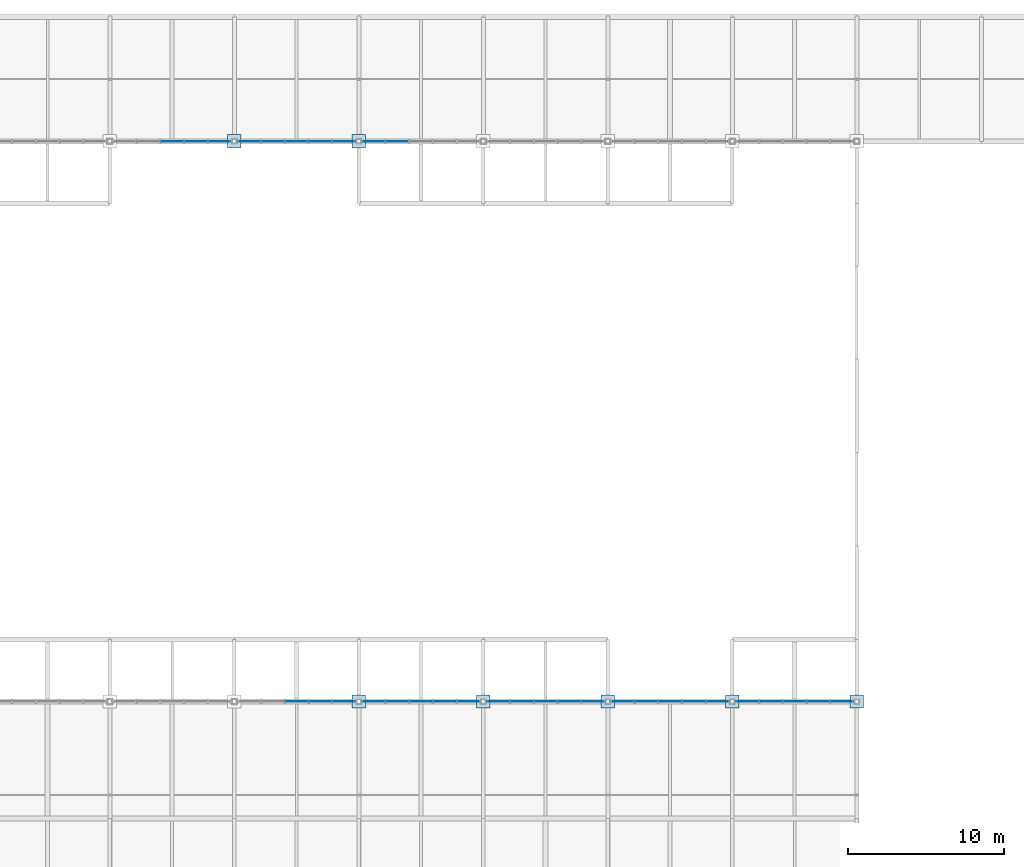
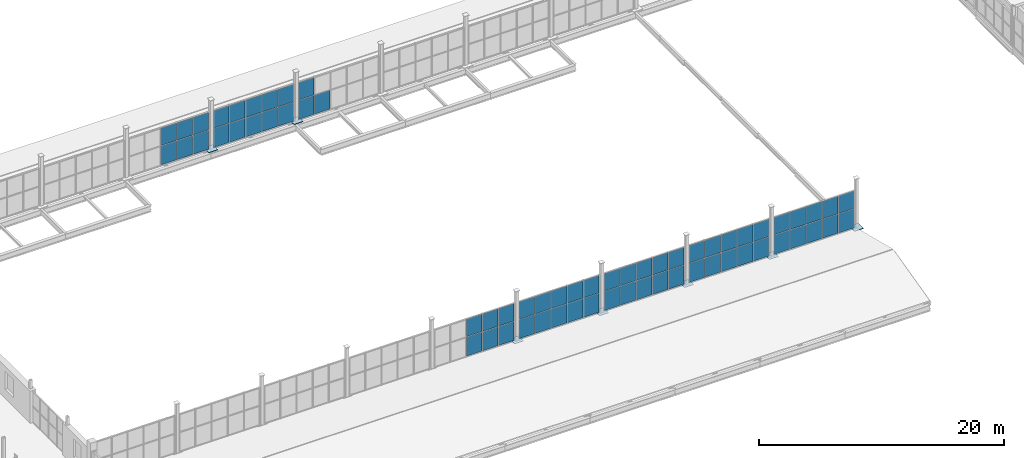
# One storey, part 76 of 96: 72 plates, 8 elements without a shape of their own.
"""IFC4 building model written with IfcOpenShell, lengths in metres."""

from ifc_helpers import new_model, si_unit, direction, frame, origin, origin_2d, place, context, subcontext, project, spatial, rectangle, extrude, material, layer, layer_set, type_object, element, aggregate, save


model = new_model("IFC4")

# Units and contexts
model_context = context("Model", 3, precision=1e-05, world=origin(), true_north=direction((0.0, 1.0)))
body_context = subcontext(model_context, "Body", "Model", "MODEL_VIEW")
ifc_project = project(units=[si_unit("LENGTHUNIT", "METRE"), si_unit("AREAUNIT", "SQUARE_METRE"), si_unit("VOLUMEUNIT", "CUBIC_METRE"), si_unit("PLANEANGLEUNIT", "RADIAN"), si_unit("MASSUNIT", "GRAM", prefix="KILO")], contexts=[model_context])

# Site, building, storey
site_placement = place(None, origin())
site = spatial("IfcSite", under=ifc_project, at=site_placement, CompositionType="ELEMENT")
building_placement = place(site_placement, origin())
building = spatial("IfcBuilding", under=site, at=building_placement, Name="Verrall Gate Interchange", CompositionType="ELEMENT")
storey_placement = place(building_placement, frame((0.0, 0.0, 11.39990234375)))
storey = spatial("IfcBuildingStorey", under=building, at=storey_placement, Name="L03", CompositionType="ELEMENT", Elevation=11.39990234375)

# Plates
ifc_material_1 = material(Name="Structural Steel CSA G40.21 350WT Cat 4", Category="steel")
ifc_layer_1 = layer(ifc_material_1, 0.050048828125)
ifc_layer_set_1 = layer_set([ifc_layer_1], Name="Structural Steel CSA G40.21 350WT Cat 4")
plate_type_1 = type_object("IfcPlateType", Name="BP-02 Base Plate 50", PredefinedType="USERDEFINED", material=ifc_layer_set_1)
for number, where, z_axis, x_axis, name in (
    (1, (68.0, 48.0, 0.0), (0.0, 0.0, 1.0), (1.0, 0.0, 0.0), "Concourse Column Base Plate 1518"),
    (2, (76.0, 12.0, 0.0), (0.0, 0.0, 1.0), (1.0, 0.0, 0.0), "Concourse Column Base Plate 1519"),
    (3, (76.0, 48.0, 0.0), (0.0, 0.0, 1.0), (1.0, 0.0, 0.0), "Concourse Column Base Plate 1520"),
    (4, (84.0, 12.0, 0.0), (0.0, 0.0, 1.0), (1.0, 0.0, 0.0), "Concourse Column Base Plate 1521"),
    (5, (92.0, 12.0, 0.0), (0.0, 0.0, 1.0), (1.0, 0.0, 0.0), "Concourse Column Base Plate 1523"),
    (6, (100.0, 12.0, 0.0), (0.0, 0.0, 1.0), (1.0, 0.0, 0.0), "Concourse Column Base Plate 1525"),
    (7, (108.0, 12.0, 0.0), (0.0, 0.0, 1.0), (1.0, 0.0, 0.0), "Concourse Column Base Plate 1527"),
):
    element("IfcPlate", number, at=place(storey_placement, frame(where, z_axis=z_axis, x_axis=x_axis)), inside=storey, type_object=plate_type_1, Name=name, ObjectType="BASE_PLATE", PredefinedType="USERDEFINED", context=body_context, shape_type="SweptSolid", body=[
        extrude(rectangle(XDim=0.85009765625, YDim=0.85009765625, at=origin_2d()), origin(), (0.0, 0.0, 1.0), 0.050048828125),
    ])

# Curtain wall, plates
ifc_material_2 = material(Name="Thermally Broken Anodized Aluminium Curtain Wall Framing", Category="aluminium")
curtain_wall_type = type_object("IfcCurtainWallType", Name="CW-53 Unitized Curtain Wall 7631x3800", PredefinedType="NOTDEFINED", material=ifc_material_2)
curtain_wall_1_placement = place(storey_placement, origin())
curtain_wall_1 = element("IfcCurtainWall", 8, at=curtain_wall_1_placement, inside=storey, type_object=curtain_wall_type, Name="L03 Unitized Curtain Wall CW-L03-CLR-168", PredefinedType="NOTDEFINED")
ifc_material_3 = material(Name="Triple-Glazed Low-E Argon Insulated Curtain Panel (U=1.45)", Category="glass")
ifc_layer_2 = layer(ifc_material_3, 0.030029296875)
ifc_layer_set_2 = layer_set([ifc_layer_2], Name="Triple-Glazed Low-E Argon Insulated Curtain Panel (U=1.45)")
plate_type_2 = type_object("IfcPlateType", Name="CP-01 Curtain Glazing Panel 30", PredefinedType="CURTAIN_PANEL", material=ifc_layer_set_2)
plate_1_placement = place(storey_placement, frame((72.0, 12.0, 0.06298828125), z_axis=(0.0, 0.0, 1.0), x_axis=(1.0, 0.0, 0.0)))
plate_1 = element("IfcPlate", 9, at=plate_1_placement, type_object=plate_type_2, Name="CW-L03-CLR-168 Glazing Panel 3.1", PredefinedType="CURTAIN_PANEL", context=body_context, shape_type="SweptSolid", body=[
    extrude(rectangle(XDim=1.47509765625, YDim=0.030029296875, at=origin_2d()), origin(), (0.0, 0.0, 1.0), 1.887451171875),
])
plate_2_placement = place(storey_placement, frame((72.0, 12.0, 2.00146484375), z_axis=(0.0, 0.0, 1.0), x_axis=(1.0, 0.0, 0.0)))
plate_2 = element("IfcPlate", 10, at=plate_2_placement, type_object=plate_type_2, Name="CW-L03-CLR-168 Glazing Panel 3.2", PredefinedType="CURTAIN_PANEL", context=body_context, shape_type="SweptSolid", body=[
    extrude(rectangle(XDim=1.47509765625, YDim=0.030029296875, at=origin_2d()), origin(), (0.0, 0.0, 1.0), 1.735595703125),
])
plate_3_placement = place(storey_placement, frame((73.526123046875, 12.0, 0.06298828125), z_axis=(0.0, 0.0, 1.0), x_axis=(1.0, 0.0, 0.0)))
plate_3 = element("IfcPlate", 11, at=plate_3_placement, type_object=plate_type_2, Name="CW-L03-CLR-168 Glazing Panel 4.1", PredefinedType="CURTAIN_PANEL", context=body_context, shape_type="SweptSolid", body=[
    extrude(rectangle(XDim=1.47509765625, YDim=0.030029296875, at=origin_2d()), origin(), (0.0, 0.0, 1.0), 1.887451171875),
])
plate_4_placement = place(storey_placement, frame((73.526123046875, 12.0, 2.00146484375), z_axis=(0.0, 0.0, 1.0), x_axis=(1.0, 0.0, 0.0)))
plate_4 = element("IfcPlate", 12, at=plate_4_placement, type_object=plate_type_2, Name="CW-L03-CLR-168 Glazing Panel 4.2", PredefinedType="CURTAIN_PANEL", context=body_context, shape_type="SweptSolid", body=[
    extrude(rectangle(XDim=1.47509765625, YDim=0.030029296875, at=origin_2d()), origin(), (0.0, 0.0, 1.0), 1.735595703125),
])
plate_5_placement = place(storey_placement, frame((75.03369140625, 12.0, 0.06298828125), z_axis=(0.0, 0.0, 1.0), x_axis=(1.0, 0.0, 0.0)))
plate_5 = element("IfcPlate", 13, at=plate_5_placement, type_object=plate_type_2, Name="CW-L03-CLR-168 Glazing Panel 5.1", PredefinedType="CURTAIN_PANEL", context=body_context, shape_type="SweptSolid", body=[
    extrude(rectangle(XDim=1.437744140625, YDim=0.030029296875, at=origin_2d()), origin(), (0.0, 0.0, 1.0), 1.887451171875),
])
plate_6_placement = place(storey_placement, frame((75.03369140625, 12.0, 2.00146484375), z_axis=(0.0, 0.0, 1.0), x_axis=(1.0, 0.0, 0.0)))
plate_6 = element("IfcPlate", 14, at=plate_6_placement, type_object=plate_type_2, Name="CW-L03-CLR-168 Glazing Panel 5.2", PredefinedType="CURTAIN_PANEL", context=body_context, shape_type="SweptSolid", body=[
    extrude(rectangle(XDim=1.437744140625, YDim=0.030029296875, at=origin_2d()), origin(), (0.0, 0.0, 1.0), 1.735595703125),
])
aggregate(curtain_wall_1, [plate_1, plate_2, plate_3, plate_4, plate_5, plate_6])

curtain_wall_2_placement = place(storey_placement, origin())
curtain_wall_2 = element("IfcCurtainWall", 15, at=curtain_wall_2_placement, inside=storey, type_object=curtain_wall_type, Name="L03 Unitized Curtain Wall CW-L03-CLR-169", PredefinedType="NOTDEFINED")
plate_7_placement = place(storey_placement, frame((76.96630859375, 12.0, 0.06298828125), z_axis=(0.0, 0.0, 1.0), x_axis=(1.0, 0.0, 0.0)))
plate_7 = element("IfcPlate", 16, at=plate_7_placement, type_object=plate_type_2, Name="CW-L03-CLR-169 Glazing Panel 1.1", PredefinedType="CURTAIN_PANEL", context=body_context, shape_type="SweptSolid", body=[
    extrude(rectangle(XDim=1.437744140625, YDim=0.030029296875, at=origin_2d()), origin(), (0.0, 0.0, 1.0), 1.887451171875),
])
plate_8_placement = place(storey_placement, frame((76.96630859375, 12.0, 2.00146484375), z_axis=(0.0, 0.0, 1.0), x_axis=(1.0, 0.0, 0.0)))
plate_8 = element("IfcPlate", 17, at=plate_8_placement, type_object=plate_type_2, Name="CW-L03-CLR-169 Glazing Panel 1.2", PredefinedType="CURTAIN_PANEL", context=body_context, shape_type="SweptSolid", body=[
    extrude(rectangle(XDim=1.437744140625, YDim=0.030029296875, at=origin_2d()), origin(), (0.0, 0.0, 1.0), 1.735595703125),
])
plate_9_placement = place(storey_placement, frame((78.473876953125, 12.0, 0.06298828125), z_axis=(0.0, 0.0, 1.0), x_axis=(1.0, 0.0, 0.0)))
plate_9 = element("IfcPlate", 18, at=plate_9_placement, type_object=plate_type_2, Name="CW-L03-CLR-169 Glazing Panel 2.1", PredefinedType="CURTAIN_PANEL", context=body_context, shape_type="SweptSolid", body=[
    extrude(rectangle(XDim=1.47509765625, YDim=0.030029296875, at=origin_2d()), origin(), (0.0, 0.0, 1.0), 1.887451171875),
])
plate_10_placement = place(storey_placement, frame((78.473876953125, 12.0, 2.00146484375), z_axis=(0.0, 0.0, 1.0), x_axis=(1.0, 0.0, 0.0)))
plate_10 = element("IfcPlate", 19, at=plate_10_placement, type_object=plate_type_2, Name="CW-L03-CLR-169 Glazing Panel 2.2", PredefinedType="CURTAIN_PANEL", context=body_context, shape_type="SweptSolid", body=[
    extrude(rectangle(XDim=1.47509765625, YDim=0.030029296875, at=origin_2d()), origin(), (0.0, 0.0, 1.0), 1.735595703125),
])
plate_11_placement = place(storey_placement, frame((80.0, 12.0, 0.06298828125), z_axis=(0.0, 0.0, 1.0), x_axis=(1.0, 0.0, 0.0)))
plate_11 = element("IfcPlate", 20, at=plate_11_placement, type_object=plate_type_2, Name="CW-L03-CLR-169 Glazing Panel 3.1", PredefinedType="CURTAIN_PANEL", context=body_context, shape_type="SweptSolid", body=[
    extrude(rectangle(XDim=1.47509765625, YDim=0.030029296875, at=origin_2d()), origin(), (0.0, 0.0, 1.0), 1.887451171875),
])
plate_12_placement = place(storey_placement, frame((80.0, 12.0, 2.00146484375), z_axis=(0.0, 0.0, 1.0), x_axis=(1.0, 0.0, 0.0)))
plate_12 = element("IfcPlate", 21, at=plate_12_placement, type_object=plate_type_2, Name="CW-L03-CLR-169 Glazing Panel 3.2", PredefinedType="CURTAIN_PANEL", context=body_context, shape_type="SweptSolid", body=[
    extrude(rectangle(XDim=1.47509765625, YDim=0.030029296875, at=origin_2d()), origin(), (0.0, 0.0, 1.0), 1.735595703125),
])
plate_13_placement = place(storey_placement, frame((81.526123046875, 12.0, 0.06298828125), z_axis=(0.0, 0.0, 1.0), x_axis=(1.0, 0.0, 0.0)))
plate_13 = element("IfcPlate", 22, at=plate_13_placement, type_object=plate_type_2, Name="CW-L03-CLR-169 Glazing Panel 4.1", PredefinedType="CURTAIN_PANEL", context=body_context, shape_type="SweptSolid", body=[
    extrude(rectangle(XDim=1.47509765625, YDim=0.030029296875, at=origin_2d()), origin(), (0.0, 0.0, 1.0), 1.887451171875),
])
plate_14_placement = place(storey_placement, frame((81.526123046875, 12.0, 2.00146484375), z_axis=(0.0, 0.0, 1.0), x_axis=(1.0, 0.0, 0.0)))
plate_14 = element("IfcPlate", 23, at=plate_14_placement, type_object=plate_type_2, Name="CW-L03-CLR-169 Glazing Panel 4.2", PredefinedType="CURTAIN_PANEL", context=body_context, shape_type="SweptSolid", body=[
    extrude(rectangle(XDim=1.47509765625, YDim=0.030029296875, at=origin_2d()), origin(), (0.0, 0.0, 1.0), 1.735595703125),
])
plate_15_placement = place(storey_placement, frame((83.03369140625, 12.0, 0.06298828125), z_axis=(0.0, 0.0, 1.0), x_axis=(1.0, 0.0, 0.0)))
plate_15 = element("IfcPlate", 24, at=plate_15_placement, type_object=plate_type_2, Name="CW-L03-CLR-169 Glazing Panel 5.1", PredefinedType="CURTAIN_PANEL", context=body_context, shape_type="SweptSolid", body=[
    extrude(rectangle(XDim=1.437744140625, YDim=0.030029296875, at=origin_2d()), origin(), (0.0, 0.0, 1.0), 1.887451171875),
])
plate_16_placement = place(storey_placement, frame((83.03369140625, 12.0, 2.00146484375), z_axis=(0.0, 0.0, 1.0), x_axis=(1.0, 0.0, 0.0)))
plate_16 = element("IfcPlate", 25, at=plate_16_placement, type_object=plate_type_2, Name="CW-L03-CLR-169 Glazing Panel 5.2", PredefinedType="CURTAIN_PANEL", context=body_context, shape_type="SweptSolid", body=[
    extrude(rectangle(XDim=1.437744140625, YDim=0.030029296875, at=origin_2d()), origin(), (0.0, 0.0, 1.0), 1.735595703125),
])
aggregate(curtain_wall_2, [plate_7, plate_8, plate_9, plate_10, plate_11, plate_12, plate_13, plate_14, plate_15, plate_16])

curtain_wall_3_placement = place(storey_placement, origin())
curtain_wall_3 = element("IfcCurtainWall", 26, at=curtain_wall_3_placement, inside=storey, type_object=curtain_wall_type, Name="L03 Unitized Curtain Wall CW-L03-CLR-170", PredefinedType="NOTDEFINED")
plate_17_placement = place(storey_placement, frame((84.96630859375, 12.0, 0.06298828125), z_axis=(0.0, 0.0, 1.0), x_axis=(1.0, 0.0, 0.0)))
plate_17 = element("IfcPlate", 27, at=plate_17_placement, type_object=plate_type_2, Name="CW-L03-CLR-170 Glazing Panel 1.1", PredefinedType="CURTAIN_PANEL", context=body_context, shape_type="SweptSolid", body=[
    extrude(rectangle(XDim=1.437744140625, YDim=0.030029296875, at=origin_2d()), origin(), (0.0, 0.0, 1.0), 1.887451171875),
])
plate_18_placement = place(storey_placement, frame((84.96630859375, 12.0, 2.00146484375), z_axis=(0.0, 0.0, 1.0), x_axis=(1.0, 0.0, 0.0)))
plate_18 = element("IfcPlate", 28, at=plate_18_placement, type_object=plate_type_2, Name="CW-L03-CLR-170 Glazing Panel 1.2", PredefinedType="CURTAIN_PANEL", context=body_context, shape_type="SweptSolid", body=[
    extrude(rectangle(XDim=1.437744140625, YDim=0.030029296875, at=origin_2d()), origin(), (0.0, 0.0, 1.0), 1.735595703125),
])
plate_19_placement = place(storey_placement, frame((86.473876953125, 12.0, 0.06298828125), z_axis=(0.0, 0.0, 1.0), x_axis=(1.0, 0.0, 0.0)))
plate_19 = element("IfcPlate", 29, at=plate_19_placement, type_object=plate_type_2, Name="CW-L03-CLR-170 Glazing Panel 2.1", PredefinedType="CURTAIN_PANEL", context=body_context, shape_type="SweptSolid", body=[
    extrude(rectangle(XDim=1.47509765625, YDim=0.030029296875, at=origin_2d()), origin(), (0.0, 0.0, 1.0), 1.887451171875),
])
plate_20_placement = place(storey_placement, frame((86.473876953125, 12.0, 2.00146484375), z_axis=(0.0, 0.0, 1.0), x_axis=(1.0, 0.0, 0.0)))
plate_20 = element("IfcPlate", 30, at=plate_20_placement, type_object=plate_type_2, Name="CW-L03-CLR-170 Glazing Panel 2.2", PredefinedType="CURTAIN_PANEL", context=body_context, shape_type="SweptSolid", body=[
    extrude(rectangle(XDim=1.47509765625, YDim=0.030029296875, at=origin_2d()), origin(), (0.0, 0.0, 1.0), 1.735595703125),
])
plate_21_placement = place(storey_placement, frame((88.0, 12.0, 0.06298828125), z_axis=(0.0, 0.0, 1.0), x_axis=(1.0, 0.0, 0.0)))
plate_21 = element("IfcPlate", 31, at=plate_21_placement, type_object=plate_type_2, Name="CW-L03-CLR-170 Glazing Panel 3.1", PredefinedType="CURTAIN_PANEL", context=body_context, shape_type="SweptSolid", body=[
    extrude(rectangle(XDim=1.47509765625, YDim=0.030029296875, at=origin_2d()), origin(), (0.0, 0.0, 1.0), 1.887451171875),
])
plate_22_placement = place(storey_placement, frame((88.0, 12.0, 2.00146484375), z_axis=(0.0, 0.0, 1.0), x_axis=(1.0, 0.0, 0.0)))
plate_22 = element("IfcPlate", 32, at=plate_22_placement, type_object=plate_type_2, Name="CW-L03-CLR-170 Glazing Panel 3.2", PredefinedType="CURTAIN_PANEL", context=body_context, shape_type="SweptSolid", body=[
    extrude(rectangle(XDim=1.47509765625, YDim=0.030029296875, at=origin_2d()), origin(), (0.0, 0.0, 1.0), 1.735595703125),
])
plate_23_placement = place(storey_placement, frame((89.526123046875, 12.0, 0.06298828125), z_axis=(0.0, 0.0, 1.0), x_axis=(1.0, 0.0, 0.0)))
plate_23 = element("IfcPlate", 33, at=plate_23_placement, type_object=plate_type_2, Name="CW-L03-CLR-170 Glazing Panel 4.1", PredefinedType="CURTAIN_PANEL", context=body_context, shape_type="SweptSolid", body=[
    extrude(rectangle(XDim=1.47509765625, YDim=0.030029296875, at=origin_2d()), origin(), (0.0, 0.0, 1.0), 1.887451171875),
])
plate_24_placement = place(storey_placement, frame((89.526123046875, 12.0, 2.00146484375), z_axis=(0.0, 0.0, 1.0), x_axis=(1.0, 0.0, 0.0)))
plate_24 = element("IfcPlate", 34, at=plate_24_placement, type_object=plate_type_2, Name="CW-L03-CLR-170 Glazing Panel 4.2", PredefinedType="CURTAIN_PANEL", context=body_context, shape_type="SweptSolid", body=[
    extrude(rectangle(XDim=1.47509765625, YDim=0.030029296875, at=origin_2d()), origin(), (0.0, 0.0, 1.0), 1.735595703125),
])
plate_25_placement = place(storey_placement, frame((91.03369140625, 12.0, 0.06298828125), z_axis=(0.0, 0.0, 1.0), x_axis=(1.0, 0.0, 0.0)))
plate_25 = element("IfcPlate", 35, at=plate_25_placement, type_object=plate_type_2, Name="CW-L03-CLR-170 Glazing Panel 5.1", PredefinedType="CURTAIN_PANEL", context=body_context, shape_type="SweptSolid", body=[
    extrude(rectangle(XDim=1.437744140625, YDim=0.030029296875, at=origin_2d()), origin(), (0.0, 0.0, 1.0), 1.887451171875),
])
plate_26_placement = place(storey_placement, frame((91.03369140625, 12.0, 2.00146484375), z_axis=(0.0, 0.0, 1.0), x_axis=(1.0, 0.0, 0.0)))
plate_26 = element("IfcPlate", 36, at=plate_26_placement, type_object=plate_type_2, Name="CW-L03-CLR-170 Glazing Panel 5.2", PredefinedType="CURTAIN_PANEL", context=body_context, shape_type="SweptSolid", body=[
    extrude(rectangle(XDim=1.437744140625, YDim=0.030029296875, at=origin_2d()), origin(), (0.0, 0.0, 1.0), 1.735595703125),
])
aggregate(curtain_wall_3, [plate_17, plate_18, plate_19, plate_20, plate_21, plate_22, plate_23, plate_24, plate_25, plate_26])

curtain_wall_4_placement = place(storey_placement, origin())
curtain_wall_4 = element("IfcCurtainWall", 37, at=curtain_wall_4_placement, inside=storey, type_object=curtain_wall_type, Name="L03 Unitized Curtain Wall CW-L03-CLR-171", PredefinedType="NOTDEFINED")
plate_27_placement = place(storey_placement, frame((92.96630859375, 12.0, 0.06298828125), z_axis=(0.0, 0.0, 1.0), x_axis=(1.0, 0.0, 0.0)))
plate_27 = element("IfcPlate", 38, at=plate_27_placement, type_object=plate_type_2, Name="CW-L03-CLR-171 Glazing Panel 1.1", PredefinedType="CURTAIN_PANEL", context=body_context, shape_type="SweptSolid", body=[
    extrude(rectangle(XDim=1.437744140625, YDim=0.030029296875, at=origin_2d()), origin(), (0.0, 0.0, 1.0), 1.887451171875),
])
plate_28_placement = place(storey_placement, frame((92.96630859375, 12.0, 2.00146484375), z_axis=(0.0, 0.0, 1.0), x_axis=(1.0, 0.0, 0.0)))
plate_28 = element("IfcPlate", 39, at=plate_28_placement, type_object=plate_type_2, Name="CW-L03-CLR-171 Glazing Panel 1.2", PredefinedType="CURTAIN_PANEL", context=body_context, shape_type="SweptSolid", body=[
    extrude(rectangle(XDim=1.437744140625, YDim=0.030029296875, at=origin_2d()), origin(), (0.0, 0.0, 1.0), 1.735595703125),
])
plate_29_placement = place(storey_placement, frame((94.473876953125, 12.0, 0.06298828125), z_axis=(0.0, 0.0, 1.0), x_axis=(1.0, 0.0, 0.0)))
plate_29 = element("IfcPlate", 40, at=plate_29_placement, type_object=plate_type_2, Name="CW-L03-CLR-171 Glazing Panel 2.1", PredefinedType="CURTAIN_PANEL", context=body_context, shape_type="SweptSolid", body=[
    extrude(rectangle(XDim=1.47509765625, YDim=0.030029296875, at=origin_2d()), origin(), (0.0, 0.0, 1.0), 1.887451171875),
])
plate_30_placement = place(storey_placement, frame((94.473876953125, 12.0, 2.00146484375), z_axis=(0.0, 0.0, 1.0), x_axis=(1.0, 0.0, 0.0)))
plate_30 = element("IfcPlate", 41, at=plate_30_placement, type_object=plate_type_2, Name="CW-L03-CLR-171 Glazing Panel 2.2", PredefinedType="CURTAIN_PANEL", context=body_context, shape_type="SweptSolid", body=[
    extrude(rectangle(XDim=1.47509765625, YDim=0.030029296875, at=origin_2d()), origin(), (0.0, 0.0, 1.0), 1.735595703125),
])
plate_31_placement = place(storey_placement, frame((96.0, 12.0, 0.06298828125), z_axis=(0.0, 0.0, 1.0), x_axis=(1.0, 0.0, 0.0)))
plate_31 = element("IfcPlate", 42, at=plate_31_placement, type_object=plate_type_2, Name="CW-L03-CLR-171 Glazing Panel 3.1", PredefinedType="CURTAIN_PANEL", context=body_context, shape_type="SweptSolid", body=[
    extrude(rectangle(XDim=1.47509765625, YDim=0.030029296875, at=origin_2d()), origin(), (0.0, 0.0, 1.0), 1.887451171875),
])
plate_32_placement = place(storey_placement, frame((96.0, 12.0, 2.00146484375), z_axis=(0.0, 0.0, 1.0), x_axis=(1.0, 0.0, 0.0)))
plate_32 = element("IfcPlate", 43, at=plate_32_placement, type_object=plate_type_2, Name="CW-L03-CLR-171 Glazing Panel 3.2", PredefinedType="CURTAIN_PANEL", context=body_context, shape_type="SweptSolid", body=[
    extrude(rectangle(XDim=1.47509765625, YDim=0.030029296875, at=origin_2d()), origin(), (0.0, 0.0, 1.0), 1.735595703125),
])
plate_33_placement = place(storey_placement, frame((97.526123046875, 12.0, 0.06298828125), z_axis=(0.0, 0.0, 1.0), x_axis=(1.0, 0.0, 0.0)))
plate_33 = element("IfcPlate", 44, at=plate_33_placement, type_object=plate_type_2, Name="CW-L03-CLR-171 Glazing Panel 4.1", PredefinedType="CURTAIN_PANEL", context=body_context, shape_type="SweptSolid", body=[
    extrude(rectangle(XDim=1.47509765625, YDim=0.030029296875, at=origin_2d()), origin(), (0.0, 0.0, 1.0), 1.887451171875),
])
plate_34_placement = place(storey_placement, frame((97.526123046875, 12.0, 2.00146484375), z_axis=(0.0, 0.0, 1.0), x_axis=(1.0, 0.0, 0.0)))
plate_34 = element("IfcPlate", 45, at=plate_34_placement, type_object=plate_type_2, Name="CW-L03-CLR-171 Glazing Panel 4.2", PredefinedType="CURTAIN_PANEL", context=body_context, shape_type="SweptSolid", body=[
    extrude(rectangle(XDim=1.47509765625, YDim=0.030029296875, at=origin_2d()), origin(), (0.0, 0.0, 1.0), 1.735595703125),
])
plate_35_placement = place(storey_placement, frame((99.03369140625, 12.0, 0.06298828125), z_axis=(0.0, 0.0, 1.0), x_axis=(1.0, 0.0, 0.0)))
plate_35 = element("IfcPlate", 46, at=plate_35_placement, type_object=plate_type_2, Name="CW-L03-CLR-171 Glazing Panel 5.1", PredefinedType="CURTAIN_PANEL", context=body_context, shape_type="SweptSolid", body=[
    extrude(rectangle(XDim=1.437744140625, YDim=0.030029296875, at=origin_2d()), origin(), (0.0, 0.0, 1.0), 1.887451171875),
])
plate_36_placement = place(storey_placement, frame((99.03369140625, 12.0, 2.00146484375), z_axis=(0.0, 0.0, 1.0), x_axis=(1.0, 0.0, 0.0)))
plate_36 = element("IfcPlate", 47, at=plate_36_placement, type_object=plate_type_2, Name="CW-L03-CLR-171 Glazing Panel 5.2", PredefinedType="CURTAIN_PANEL", context=body_context, shape_type="SweptSolid", body=[
    extrude(rectangle(XDim=1.437744140625, YDim=0.030029296875, at=origin_2d()), origin(), (0.0, 0.0, 1.0), 1.735595703125),
])
aggregate(curtain_wall_4, [plate_27, plate_28, plate_29, plate_30, plate_31, plate_32, plate_33, plate_34, plate_35, plate_36])

curtain_wall_5_placement = place(storey_placement, origin())
curtain_wall_5 = element("IfcCurtainWall", 48, at=curtain_wall_5_placement, inside=storey, type_object=curtain_wall_type, Name="L03 Unitized Curtain Wall CW-L03-CLR-172", PredefinedType="NOTDEFINED")
plate_37_placement = place(storey_placement, frame((100.96630859375, 12.0, 0.06298828125), z_axis=(0.0, 0.0, 1.0), x_axis=(1.0, 0.0, 0.0)))
plate_37 = element("IfcPlate", 49, at=plate_37_placement, type_object=plate_type_2, Name="CW-L03-CLR-172 Glazing Panel 1.1", PredefinedType="CURTAIN_PANEL", context=body_context, shape_type="SweptSolid", body=[
    extrude(rectangle(XDim=1.437744140625, YDim=0.030029296875, at=origin_2d()), origin(), (0.0, 0.0, 1.0), 1.887451171875),
])
plate_38_placement = place(storey_placement, frame((100.96630859375, 12.0, 2.00146484375), z_axis=(0.0, 0.0, 1.0), x_axis=(1.0, 0.0, 0.0)))
plate_38 = element("IfcPlate", 50, at=plate_38_placement, type_object=plate_type_2, Name="CW-L03-CLR-172 Glazing Panel 1.2", PredefinedType="CURTAIN_PANEL", context=body_context, shape_type="SweptSolid", body=[
    extrude(rectangle(XDim=1.437744140625, YDim=0.030029296875, at=origin_2d()), origin(), (0.0, 0.0, 1.0), 1.735595703125),
])
plate_39_placement = place(storey_placement, frame((102.473876953125, 12.0, 0.06298828125), z_axis=(0.0, 0.0, 1.0), x_axis=(1.0, 0.0, 0.0)))
plate_39 = element("IfcPlate", 51, at=plate_39_placement, type_object=plate_type_2, Name="CW-L03-CLR-172 Glazing Panel 2.1", PredefinedType="CURTAIN_PANEL", context=body_context, shape_type="SweptSolid", body=[
    extrude(rectangle(XDim=1.47509765625, YDim=0.030029296875, at=origin_2d()), origin(), (0.0, 0.0, 1.0), 1.887451171875),
])
plate_40_placement = place(storey_placement, frame((102.473876953125, 12.0, 2.00146484375), z_axis=(0.0, 0.0, 1.0), x_axis=(1.0, 0.0, 0.0)))
plate_40 = element("IfcPlate", 52, at=plate_40_placement, type_object=plate_type_2, Name="CW-L03-CLR-172 Glazing Panel 2.2", PredefinedType="CURTAIN_PANEL", context=body_context, shape_type="SweptSolid", body=[
    extrude(rectangle(XDim=1.47509765625, YDim=0.030029296875, at=origin_2d()), origin(), (0.0, 0.0, 1.0), 1.735595703125),
])
plate_41_placement = place(storey_placement, frame((104.0, 12.0, 0.06298828125), z_axis=(0.0, 0.0, 1.0), x_axis=(1.0, 0.0, 0.0)))
plate_41 = element("IfcPlate", 53, at=plate_41_placement, type_object=plate_type_2, Name="CW-L03-CLR-172 Glazing Panel 3.1", PredefinedType="CURTAIN_PANEL", context=body_context, shape_type="SweptSolid", body=[
    extrude(rectangle(XDim=1.47509765625, YDim=0.030029296875, at=origin_2d()), origin(), (0.0, 0.0, 1.0), 1.887451171875),
])
plate_42_placement = place(storey_placement, frame((104.0, 12.0, 2.00146484375), z_axis=(0.0, 0.0, 1.0), x_axis=(1.0, 0.0, 0.0)))
plate_42 = element("IfcPlate", 54, at=plate_42_placement, type_object=plate_type_2, Name="CW-L03-CLR-172 Glazing Panel 3.2", PredefinedType="CURTAIN_PANEL", context=body_context, shape_type="SweptSolid", body=[
    extrude(rectangle(XDim=1.47509765625, YDim=0.030029296875, at=origin_2d()), origin(), (0.0, 0.0, 1.0), 1.735595703125),
])
plate_43_placement = place(storey_placement, frame((105.526123046875, 12.0, 0.06298828125), z_axis=(0.0, 0.0, 1.0), x_axis=(1.0, 0.0, 0.0)))
plate_43 = element("IfcPlate", 55, at=plate_43_placement, type_object=plate_type_2, Name="CW-L03-CLR-172 Glazing Panel 4.1", PredefinedType="CURTAIN_PANEL", context=body_context, shape_type="SweptSolid", body=[
    extrude(rectangle(XDim=1.47509765625, YDim=0.030029296875, at=origin_2d()), origin(), (0.0, 0.0, 1.0), 1.887451171875),
])
plate_44_placement = place(storey_placement, frame((105.526123046875, 12.0, 2.00146484375), z_axis=(0.0, 0.0, 1.0), x_axis=(1.0, 0.0, 0.0)))
plate_44 = element("IfcPlate", 56, at=plate_44_placement, type_object=plate_type_2, Name="CW-L03-CLR-172 Glazing Panel 4.2", PredefinedType="CURTAIN_PANEL", context=body_context, shape_type="SweptSolid", body=[
    extrude(rectangle(XDim=1.47509765625, YDim=0.030029296875, at=origin_2d()), origin(), (0.0, 0.0, 1.0), 1.735595703125),
])
plate_45_placement = place(storey_placement, frame((107.03369140625, 12.0, 0.06298828125), z_axis=(0.0, 0.0, 1.0), x_axis=(1.0, 0.0, 0.0)))
plate_45 = element("IfcPlate", 57, at=plate_45_placement, type_object=plate_type_2, Name="CW-L03-CLR-172 Glazing Panel 5.1", PredefinedType="CURTAIN_PANEL", context=body_context, shape_type="SweptSolid", body=[
    extrude(rectangle(XDim=1.437744140625, YDim=0.030029296875, at=origin_2d()), origin(), (0.0, 0.0, 1.0), 1.887451171875),
])
plate_46_placement = place(storey_placement, frame((107.03369140625, 12.0, 2.00146484375), z_axis=(0.0, 0.0, 1.0), x_axis=(1.0, 0.0, 0.0)))
plate_46 = element("IfcPlate", 58, at=plate_46_placement, type_object=plate_type_2, Name="CW-L03-CLR-172 Glazing Panel 5.2", PredefinedType="CURTAIN_PANEL", context=body_context, shape_type="SweptSolid", body=[
    extrude(rectangle(XDim=1.437744140625, YDim=0.030029296875, at=origin_2d()), origin(), (0.0, 0.0, 1.0), 1.735595703125),
])
aggregate(curtain_wall_5, [plate_37, plate_38, plate_39, plate_40, plate_41, plate_42, plate_43, plate_44, plate_45, plate_46])

curtain_wall_6_placement = place(storey_placement, origin())
curtain_wall_6 = element("IfcCurtainWall", 59, at=curtain_wall_6_placement, inside=storey, type_object=curtain_wall_type, Name="L03 Unitized Curtain Wall CW-L03-CLR-176", PredefinedType="NOTDEFINED")
plate_47_placement = place(storey_placement, frame((64.0, 48.0, 0.06298828125), z_axis=(0.0, 0.0, 1.0), x_axis=(1.0, 0.0, 0.0)))
plate_47 = element("IfcPlate", 60, at=plate_47_placement, type_object=plate_type_2, Name="CW-L03-CLR-176 Glazing Panel 3.1", PredefinedType="CURTAIN_PANEL", context=body_context, shape_type="SweptSolid", body=[
    extrude(rectangle(XDim=1.47509765625, YDim=0.030029296875, at=origin_2d()), origin(), (0.0, 0.0, 1.0), 1.887451171875),
])
plate_48_placement = place(storey_placement, frame((64.0, 48.0, 2.00146484375), z_axis=(0.0, 0.0, 1.0), x_axis=(1.0, 0.0, 0.0)))
plate_48 = element("IfcPlate", 61, at=plate_48_placement, type_object=plate_type_2, Name="CW-L03-CLR-176 Glazing Panel 3.2", PredefinedType="CURTAIN_PANEL", context=body_context, shape_type="SweptSolid", body=[
    extrude(rectangle(XDim=1.47509765625, YDim=0.030029296875, at=origin_2d()), origin(), (0.0, 0.0, 1.0), 1.735595703125),
])
plate_49_placement = place(storey_placement, frame((65.526123046875, 48.0, 0.06298828125), z_axis=(0.0, 0.0, 1.0), x_axis=(1.0, 0.0, 0.0)))
plate_49 = element("IfcPlate", 62, at=plate_49_placement, type_object=plate_type_2, Name="CW-L03-CLR-176 Glazing Panel 4.1", PredefinedType="CURTAIN_PANEL", context=body_context, shape_type="SweptSolid", body=[
    extrude(rectangle(XDim=1.47509765625, YDim=0.030029296875, at=origin_2d()), origin(), (0.0, 0.0, 1.0), 1.887451171875),
])
plate_50_placement = place(storey_placement, frame((65.526123046875, 48.0, 2.00146484375), z_axis=(0.0, 0.0, 1.0), x_axis=(1.0, 0.0, 0.0)))
plate_50 = element("IfcPlate", 63, at=plate_50_placement, type_object=plate_type_2, Name="CW-L03-CLR-176 Glazing Panel 4.2", PredefinedType="CURTAIN_PANEL", context=body_context, shape_type="SweptSolid", body=[
    extrude(rectangle(XDim=1.47509765625, YDim=0.030029296875, at=origin_2d()), origin(), (0.0, 0.0, 1.0), 1.735595703125),
])
plate_51_placement = place(storey_placement, frame((67.03369140625, 48.0, 0.06298828125), z_axis=(0.0, 0.0, 1.0), x_axis=(1.0, 0.0, 0.0)))
plate_51 = element("IfcPlate", 64, at=plate_51_placement, type_object=plate_type_2, Name="CW-L03-CLR-176 Glazing Panel 5.1", PredefinedType="CURTAIN_PANEL", context=body_context, shape_type="SweptSolid", body=[
    extrude(rectangle(XDim=1.437744140625, YDim=0.030029296875, at=origin_2d()), origin(), (0.0, 0.0, 1.0), 1.887451171875),
])
plate_52_placement = place(storey_placement, frame((67.03369140625, 48.0, 2.00146484375), z_axis=(0.0, 0.0, 1.0), x_axis=(1.0, 0.0, 0.0)))
plate_52 = element("IfcPlate", 65, at=plate_52_placement, type_object=plate_type_2, Name="CW-L03-CLR-176 Glazing Panel 5.2", PredefinedType="CURTAIN_PANEL", context=body_context, shape_type="SweptSolid", body=[
    extrude(rectangle(XDim=1.437744140625, YDim=0.030029296875, at=origin_2d()), origin(), (0.0, 0.0, 1.0), 1.735595703125),
])
aggregate(curtain_wall_6, [plate_47, plate_48, plate_49, plate_50, plate_51, plate_52])

curtain_wall_7_placement = place(storey_placement, origin())
curtain_wall_7 = element("IfcCurtainWall", 66, at=curtain_wall_7_placement, inside=storey, type_object=curtain_wall_type, Name="L03 Unitized Curtain Wall CW-L03-CLR-177", PredefinedType="NOTDEFINED")
plate_53_placement = place(storey_placement, frame((68.96630859375, 48.0, 0.06298828125), z_axis=(0.0, 0.0, 1.0), x_axis=(1.0, 0.0, 0.0)))
plate_53 = element("IfcPlate", 67, at=plate_53_placement, type_object=plate_type_2, Name="CW-L03-CLR-177 Glazing Panel 1.1", PredefinedType="CURTAIN_PANEL", context=body_context, shape_type="SweptSolid", body=[
    extrude(rectangle(XDim=1.437744140625, YDim=0.030029296875, at=origin_2d()), origin(), (0.0, 0.0, 1.0), 1.887451171875),
])
plate_54_placement = place(storey_placement, frame((68.96630859375, 48.0, 2.00146484375), z_axis=(0.0, 0.0, 1.0), x_axis=(1.0, 0.0, 0.0)))
plate_54 = element("IfcPlate", 68, at=plate_54_placement, type_object=plate_type_2, Name="CW-L03-CLR-177 Glazing Panel 1.2", PredefinedType="CURTAIN_PANEL", context=body_context, shape_type="SweptSolid", body=[
    extrude(rectangle(XDim=1.437744140625, YDim=0.030029296875, at=origin_2d()), origin(), (0.0, 0.0, 1.0), 1.735595703125),
])
plate_55_placement = place(storey_placement, frame((70.473876953125, 48.0, 0.06298828125), z_axis=(0.0, 0.0, 1.0), x_axis=(1.0, 0.0, 0.0)))
plate_55 = element("IfcPlate", 69, at=plate_55_placement, type_object=plate_type_2, Name="CW-L03-CLR-177 Glazing Panel 2.1", PredefinedType="CURTAIN_PANEL", context=body_context, shape_type="SweptSolid", body=[
    extrude(rectangle(XDim=1.47509765625, YDim=0.030029296875, at=origin_2d()), origin(), (0.0, 0.0, 1.0), 1.887451171875),
])
plate_56_placement = place(storey_placement, frame((70.473876953125, 48.0, 2.00146484375), z_axis=(0.0, 0.0, 1.0), x_axis=(1.0, 0.0, 0.0)))
plate_56 = element("IfcPlate", 70, at=plate_56_placement, type_object=plate_type_2, Name="CW-L03-CLR-177 Glazing Panel 2.2", PredefinedType="CURTAIN_PANEL", context=body_context, shape_type="SweptSolid", body=[
    extrude(rectangle(XDim=1.47509765625, YDim=0.030029296875, at=origin_2d()), origin(), (0.0, 0.0, 1.0), 1.735595703125),
])
plate_57_placement = place(storey_placement, frame((72.0, 48.0, 0.06298828125), z_axis=(0.0, 0.0, 1.0), x_axis=(1.0, 0.0, 0.0)))
plate_57 = element("IfcPlate", 71, at=plate_57_placement, type_object=plate_type_2, Name="CW-L03-CLR-177 Glazing Panel 3.1", PredefinedType="CURTAIN_PANEL", context=body_context, shape_type="SweptSolid", body=[
    extrude(rectangle(XDim=1.47509765625, YDim=0.030029296875, at=origin_2d()), origin(), (0.0, 0.0, 1.0), 1.887451171875),
])
plate_58_placement = place(storey_placement, frame((72.0, 48.0, 2.00146484375), z_axis=(0.0, 0.0, 1.0), x_axis=(1.0, 0.0, 0.0)))
plate_58 = element("IfcPlate", 72, at=plate_58_placement, type_object=plate_type_2, Name="CW-L03-CLR-177 Glazing Panel 3.2", PredefinedType="CURTAIN_PANEL", context=body_context, shape_type="SweptSolid", body=[
    extrude(rectangle(XDim=1.47509765625, YDim=0.030029296875, at=origin_2d()), origin(), (0.0, 0.0, 1.0), 1.735595703125),
])
plate_59_placement = place(storey_placement, frame((73.526123046875, 48.0, 0.06298828125), z_axis=(0.0, 0.0, 1.0), x_axis=(1.0, 0.0, 0.0)))
plate_59 = element("IfcPlate", 73, at=plate_59_placement, type_object=plate_type_2, Name="CW-L03-CLR-177 Glazing Panel 4.1", PredefinedType="CURTAIN_PANEL", context=body_context, shape_type="SweptSolid", body=[
    extrude(rectangle(XDim=1.47509765625, YDim=0.030029296875, at=origin_2d()), origin(), (0.0, 0.0, 1.0), 1.887451171875),
])
plate_60_placement = place(storey_placement, frame((73.526123046875, 48.0, 2.00146484375), z_axis=(0.0, 0.0, 1.0), x_axis=(1.0, 0.0, 0.0)))
plate_60 = element("IfcPlate", 74, at=plate_60_placement, type_object=plate_type_2, Name="CW-L03-CLR-177 Glazing Panel 4.2", PredefinedType="CURTAIN_PANEL", context=body_context, shape_type="SweptSolid", body=[
    extrude(rectangle(XDim=1.47509765625, YDim=0.030029296875, at=origin_2d()), origin(), (0.0, 0.0, 1.0), 1.735595703125),
])
plate_61_placement = place(storey_placement, frame((75.03369140625, 48.0, 0.06298828125), z_axis=(0.0, 0.0, 1.0), x_axis=(1.0, 0.0, 0.0)))
plate_61 = element("IfcPlate", 75, at=plate_61_placement, type_object=plate_type_2, Name="CW-L03-CLR-177 Glazing Panel 5.1", PredefinedType="CURTAIN_PANEL", context=body_context, shape_type="SweptSolid", body=[
    extrude(rectangle(XDim=1.437744140625, YDim=0.030029296875, at=origin_2d()), origin(), (0.0, 0.0, 1.0), 1.887451171875),
])
plate_62_placement = place(storey_placement, frame((75.03369140625, 48.0, 2.00146484375), z_axis=(0.0, 0.0, 1.0), x_axis=(1.0, 0.0, 0.0)))
plate_62 = element("IfcPlate", 76, at=plate_62_placement, type_object=plate_type_2, Name="CW-L03-CLR-177 Glazing Panel 5.2", PredefinedType="CURTAIN_PANEL", context=body_context, shape_type="SweptSolid", body=[
    extrude(rectangle(XDim=1.437744140625, YDim=0.030029296875, at=origin_2d()), origin(), (0.0, 0.0, 1.0), 1.735595703125),
])
aggregate(curtain_wall_7, [plate_53, plate_54, plate_55, plate_56, plate_57, plate_58, plate_59, plate_60, plate_61, plate_62])

curtain_wall_8_placement = place(storey_placement, origin())
curtain_wall_8 = element("IfcCurtainWall", 77, at=curtain_wall_8_placement, inside=storey, type_object=curtain_wall_type, Name="L03 Unitized Curtain Wall CW-L03-CLR-178", PredefinedType="NOTDEFINED")
plate_63_placement = place(storey_placement, frame((76.96630859375, 48.0, 0.06298828125), z_axis=(0.0, 0.0, 1.0), x_axis=(1.0, 0.0, 0.0)))
plate_63 = element("IfcPlate", 78, at=plate_63_placement, type_object=plate_type_2, Name="CW-L03-CLR-178 Glazing Panel 1.1", PredefinedType="CURTAIN_PANEL", context=body_context, shape_type="SweptSolid", body=[
    extrude(rectangle(XDim=1.437744140625, YDim=0.030029296875, at=origin_2d()), origin(), (0.0, 0.0, 1.0), 1.887451171875),
])
plate_64_placement = place(storey_placement, frame((76.96630859375, 48.0, 2.00146484375), z_axis=(0.0, 0.0, 1.0), x_axis=(1.0, 0.0, 0.0)))
plate_64 = element("IfcPlate", 79, at=plate_64_placement, type_object=plate_type_2, Name="CW-L03-CLR-178 Glazing Panel 1.2", PredefinedType="CURTAIN_PANEL", context=body_context, shape_type="SweptSolid", body=[
    extrude(rectangle(XDim=1.437744140625, YDim=0.030029296875, at=origin_2d()), origin(), (0.0, 0.0, 1.0), 1.735595703125),
])
plate_65_placement = place(storey_placement, frame((78.473876953125, 48.0, 0.06298828125), z_axis=(0.0, 0.0, 1.0), x_axis=(1.0, 0.0, 0.0)))
plate_65 = element("IfcPlate", 80, at=plate_65_placement, type_object=plate_type_2, Name="CW-L03-CLR-178 Glazing Panel 2.1", PredefinedType="CURTAIN_PANEL", context=body_context, shape_type="SweptSolid", body=[
    extrude(rectangle(XDim=1.47509765625, YDim=0.030029296875, at=origin_2d()), origin(), (0.0, 0.0, 1.0), 1.887451171875),
])
aggregate(curtain_wall_8, [plate_63, plate_64, plate_65])

save(model, "model.ifc")
